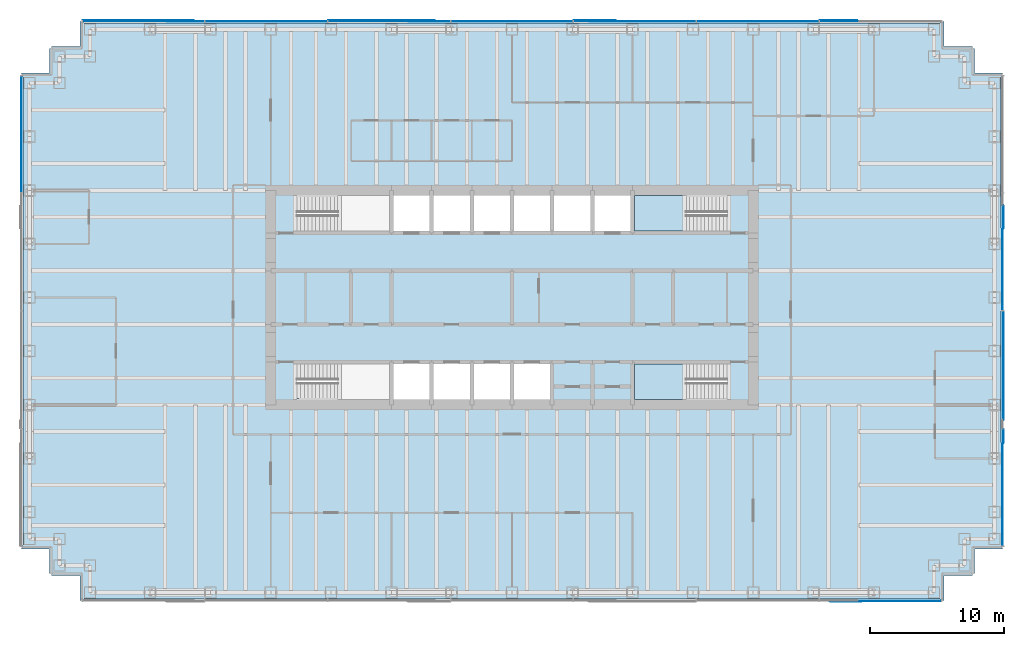
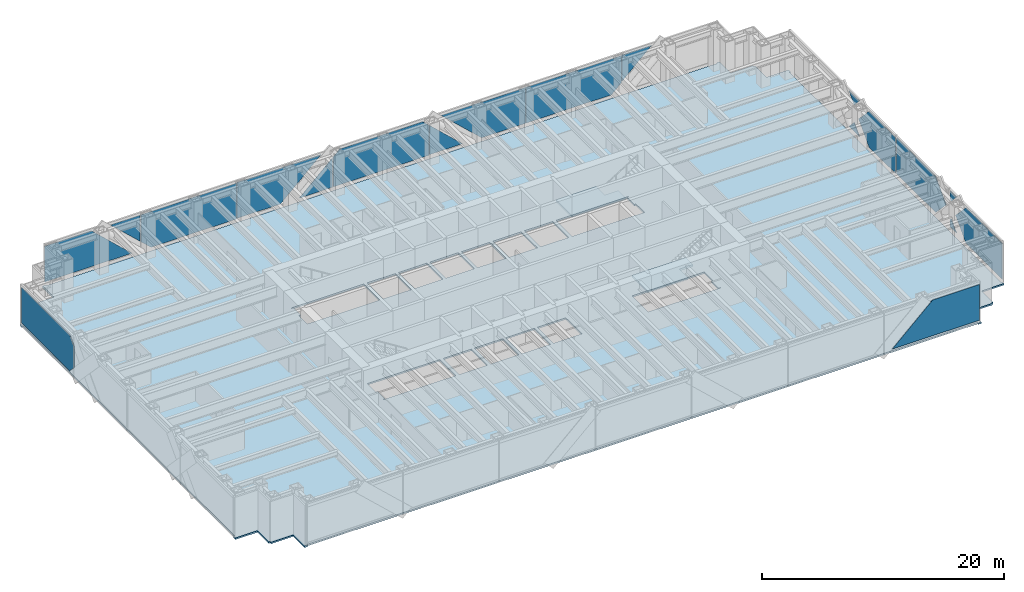
# One storey, part 11 of 19: 19 plates, 3 slabs, 6 elements without a shape of their own.
"""IFC4 building model written with IfcOpenShell, lengths in metres."""

from ifc_helpers import new_model, si_unit, direction, frame, origin, place, context, subcontext, project, spatial, polyline, outline, extrude, material, layer, layer_set, type_object, element, aggregate, save


model = new_model("IFC4")

# Units and contexts
model_context = context("Model", 3, precision=1e-05, world=origin(), true_north=direction((0.0, 1.0)))
body_context = subcontext(model_context, "Body", "Model", "MODEL_VIEW")
ifc_project = project(units=[si_unit("LENGTHUNIT", "METRE"), si_unit("AREAUNIT", "SQUARE_METRE"), si_unit("VOLUMEUNIT", "CUBIC_METRE"), si_unit("PLANEANGLEUNIT", "RADIAN"), si_unit("MASSUNIT", "GRAM", prefix="KILO")], contexts=[model_context])

# Site, building, storey
site_placement = place(None, origin())
site = spatial("IfcSite", under=ifc_project, at=site_placement, CompositionType="ELEMENT")
building_placement = place(site_placement, origin())
building = spatial("IfcBuilding", under=site, at=building_placement, Name="Rheinbord Bourse Tower", CompositionType="ELEMENT")
storey_placement = place(building_placement, frame((0.0, 0.0, 206.800048828125)))
storey = spatial("IfcBuildingStorey", under=building, at=storey_placement, Name="L46", CompositionType="ELEMENT", Elevation=206.800048828125)

# Slab
ifc_material_1 = material(Name="Concrete C30/37", Category="concrete")
ifc_layer_1 = layer(ifc_material_1, 0.159912109375)
ifc_layer_set_1 = layer_set([ifc_layer_1], Name="COMPOSITE FLOOR SLAB 160")
slab_type_1 = type_object("IfcSlabType", Name="COMPOSITE FLOOR SLAB 160", PredefinedType="FLOOR", material=ifc_layer_set_1)
slab_1_placement = place(storey_placement, frame((0.0, 0.0, -0.16015625)))
element("IfcSlab", 1, at=slab_1_placement, inside=storey, type_object=slab_type_1, Name="Floor slab L46", PredefinedType="FLOOR", context=body_context, shape_type="SweptSolid", body=[
    extrude(outline(polyline([(1.64990234375, 3.39990234375), (1.5, 3.39990234375), (1.5, 5.25), (-0.60009765625, 5.25), (-0.60009765625, 5.550048828125), (-0.5, 5.550048828125), (-0.5, 40.449951171875), (-0.60009765625, 40.449951171875), (-0.60009765625, 40.75), (1.5, 40.75), (1.5, 42.60009765625), (1.64990234375, 42.60009765625), (1.64990234375, 42.75), (3.75, 42.75), (3.75, 44.60009765625), (4.050048828125, 44.60009765625), (4.050048828125, 44.5), (67.949951171875, 44.5), (67.949951171875, 44.60009765625), (68.25, 44.60009765625), (68.25, 42.75), (70.35009765625, 42.75), (70.35009765625, 42.60009765625), (70.5, 42.60009765625), (70.5, 40.75), (72.60009765625, 40.75), (72.60009765625, 40.449951171875), (72.5, 40.449951171875), (72.5, 5.550048828125), (72.60009765625, 5.550048828125), (72.60009765625, 5.25), (70.5, 5.25), (70.5, 3.39990234375), (70.35009765625, 3.39990234375), (70.35009765625, 3.25), (68.25, 3.25), (68.25, 1.39990234375), (67.949951171875, 1.39990234375), (67.949951171875, 1.5), (4.050048828125, 1.5), (4.050048828125, 1.39990234375), (3.75, 1.39990234375), (3.75, 3.25), (1.64990234375, 3.25), (1.64990234375, 3.39990234375)]), holes=[polyline([(19.949951171875, 19.050048828125), (26.85009765625, 19.050048828125), (26.85009765625, 16.39990234375), (19.949951171875, 16.39990234375), (19.949951171875, 16.449951171875), (20.10009765625, 16.449951171875), (20.10009765625, 17.64990234375), (19.949951171875, 17.64990234375), (19.949951171875, 19.050048828125)]), polyline([(19.949951171875, 31.60009765625), (26.85009765625, 31.60009765625), (26.85009765625, 28.949951171875), (19.949951171875, 28.949951171875), (19.949951171875, 30.35009765625), (20.10009765625, 30.35009765625), (20.10009765625, 31.550048828125), (19.949951171875, 31.550048828125), (19.949951171875, 31.60009765625)]), polyline([(52.050048828125, 16.39990234375), (45.14990234375, 16.39990234375), (45.14990234375, 19.050048828125), (52.050048828125, 19.050048828125), (52.050048828125, 17.64990234375), (51.89990234375, 17.64990234375), (51.89990234375, 16.449951171875), (52.050048828125, 16.449951171875), (52.050048828125, 16.39990234375)]), polyline([(52.050048828125, 28.949951171875), (45.14990234375, 28.949951171875), (45.14990234375, 31.60009765625), (52.050048828125, 31.60009765625), (52.050048828125, 31.550048828125), (51.89990234375, 31.550048828125), (51.89990234375, 30.35009765625), (52.050048828125, 30.35009765625), (52.050048828125, 28.949951171875)]), polyline([(27.14990234375, 16.39990234375), (27.14990234375, 19.050048828125), (29.85009765625, 19.050048828125), (29.85009765625, 16.39990234375), (27.14990234375, 16.39990234375)]), polyline([(27.14990234375, 28.949951171875), (27.14990234375, 31.60009765625), (29.85009765625, 31.60009765625), (29.85009765625, 28.949951171875), (27.14990234375, 28.949951171875)]), polyline([(30.14990234375, 16.39990234375), (30.14990234375, 19.050048828125), (32.85009765625, 19.050048828125), (32.85009765625, 16.39990234375), (30.14990234375, 16.39990234375)]), polyline([(30.14990234375, 28.949951171875), (30.14990234375, 31.60009765625), (32.85009765625, 31.60009765625), (32.85009765625, 28.949951171875), (30.14990234375, 28.949951171875)]), polyline([(33.14990234375, 16.39990234375), (33.14990234375, 19.050048828125), (35.85009765625, 19.050048828125), (35.85009765625, 16.39990234375), (33.14990234375, 16.39990234375)]), polyline([(33.14990234375, 28.949951171875), (33.14990234375, 31.60009765625), (35.85009765625, 31.60009765625), (35.85009765625, 28.949951171875), (33.14990234375, 28.949951171875)]), polyline([(36.14990234375, 16.39990234375), (36.14990234375, 19.050048828125), (38.85009765625, 19.050048828125), (38.85009765625, 16.39990234375), (36.14990234375, 16.39990234375)]), polyline([(36.14990234375, 28.949951171875), (36.14990234375, 31.60009765625), (38.85009765625, 31.60009765625), (38.85009765625, 28.949951171875), (36.14990234375, 28.949951171875)]), polyline([(39.14990234375, 28.949951171875), (39.14990234375, 31.60009765625), (41.85009765625, 31.60009765625), (41.85009765625, 28.949951171875), (39.14990234375, 28.949951171875)]), polyline([(42.14990234375, 28.949951171875), (42.14990234375, 31.60009765625), (44.85009765625, 31.60009765625), (44.85009765625, 28.949951171875), (42.14990234375, 28.949951171875)])]), origin(), (0.0, 0.0, 1.0), 0.16015625),
])

# Curtain wall, plate
ifc_material_2 = material(Name="Dark glass and black aluminium", Category="aluminium")
curtain_wall_type = type_object("IfcCurtainWallType", Name="CW2 DARK GLASS CURTAIN WALL", PredefinedType="USERDEFINED", material=ifc_material_2)
curtain_wall_1_placement = place(storey_placement, origin())
curtain_wall_1 = element("IfcCurtainWall", 2, at=curtain_wall_1_placement, inside=storey, type_object=curtain_wall_type, Name="Curtain wall CW2 S L46", ObjectType="UNITISED CURTAIN WALL", PredefinedType="USERDEFINED")
ifc_material_3 = material(Name="Dark tinted triple insulating glass", Category="glass")
ifc_layer_2 = layer(ifc_material_3, 0.050048828125)
ifc_layer_set_2 = layer_set([ifc_layer_2], Name="CW2 DARK GLASS PANEL")
plate_type = type_object("IfcPlateType", Name="CW2 DARK GLASS PANEL", PredefinedType="CURTAIN_PANEL", material=ifc_layer_set_2)
plate_1_placement = place(storey_placement, frame((68.030029296875, 1.31982421875, 3.89990234375), z_axis=(0.0, 1.0, 0.0), x_axis=(0.0, 0.0, -1.0)))
plate_1 = element("IfcPlate", 3, at=plate_1_placement, type_object=plate_type, Name="CW2 glass facet 2", PredefinedType="CURTAIN_PANEL", context=body_context, shape_type="SweptSolid", body=[
    extrude(outline(polyline([(0.0, 0.0), (3.599853515625, 0.0), (3.599853515625, 8.322021484375), (0.0, 4.465087890625), (0.0, 0.0)])), origin(), (0.0, 0.0, 1.0), 0.050048828125),
])
aggregate(curtain_wall_1, [plate_1])

# Curtain wall, plates
curtain_wall_2_placement = place(storey_placement, origin())
curtain_wall_2 = element("IfcCurtainWall", 4, at=curtain_wall_2_placement, inside=storey, type_object=curtain_wall_type, Name="Curtain wall CW2 E L46", ObjectType="UNITISED CURTAIN WALL", PredefinedType="USERDEFINED")
plate_2_placement = place(storey_placement, frame((72.625, 5.469970703125, 0.300048828125), z_axis=(-1.0, 0.0, 0.0), x_axis=(0.0, 0.0, 1.0)))
plate_2 = element("IfcPlate", 5, at=plate_2_placement, type_object=plate_type, Name="CW2 glass facet 1", PredefinedType="CURTAIN_PANEL", context=body_context, shape_type="SweptSolid", body=[
    extrude(outline(polyline([(0.0, 0.0), (3.599853515625, 0.0), (3.599853515625, 5.97998046875), (1.7998046875, 7.695068359375), (0.0, 5.97998046875), (0.0, 0.0)])), origin(), (0.0, 0.0, 1.0), 0.050048828125),
])
plate_3_placement = place(storey_placement, frame((72.68017578125, 14.1650390625, 0.300048828125), z_axis=(-1.0, 0.0, 0.0), x_axis=(0.0, -1.0, 0.0)))
plate_3 = element("IfcPlate", 6, at=plate_3_placement, type_object=plate_type, Name="CW2 glass facet 2", PredefinedType="CURTAIN_PANEL", context=body_context, shape_type="SweptSolid", body=[
    extrude(outline(polyline([(0.0, 0.0), (1.0439453125, 0.0), (0.1650390625, 0.9228515625), (0.0, 0.75), (0.0, 0.0)])), origin(), (0.0, 0.0, 1.0), 0.050048828125),
])
plate_4_placement = place(storey_placement, frame((72.68017578125, 14.1650390625, 3.89990234375), z_axis=(-1.0, 0.0, 0.0), x_axis=(0.0, 0.0, -1.0)))
plate_4 = element("IfcPlate", 7, at=plate_4_placement, type_object=plate_type, Name="CW2 glass facet 3", PredefinedType="CURTAIN_PANEL", context=body_context, shape_type="SweptSolid", body=[
    extrude(outline(polyline([(0.0, 0.0), (0.7490234375, 0.0), (0.9228515625, 0.1650390625), (0.0, 1.0439453125), (0.0, 0.0)])), origin(), (0.0, 0.0, 1.0), 0.050048828125),
])
plate_5_placement = place(storey_placement, frame((72.68017578125, 22.965087890625, 3.89990234375), z_axis=(-1.0, 0.0, 0.0), x_axis=(0.0, 0.0, -1.0)))
plate_5 = element("IfcPlate", 8, at=plate_5_placement, type_object=plate_type, Name="CW2 glass facet 3", PredefinedType="CURTAIN_PANEL", context=body_context, shape_type="SweptSolid", body=[
    extrude(outline(polyline([(0.0, 0.0), (3.599853515625, 0.0), (3.599853515625, 6.4150390625), (1.800048828125, 8.130126953125), (0.0, 6.4150390625), (0.0, 0.0)])), origin(), (0.0, 0.0, 1.0), 0.050048828125),
])
plate_6_placement = place(storey_placement, frame((72.625, 23.034912109375, 0.300048828125), z_axis=(-1.0, 0.0, 0.0), x_axis=(0.0, 0.0, 1.0)))
plate_6 = element("IfcPlate", 9, at=plate_6_placement, type_object=plate_type, Name="CW2 glass facet 1", PredefinedType="CURTAIN_PANEL", context=body_context, shape_type="SweptSolid", body=[
    extrude(outline(polyline([(0.0, 0.0), (3.599853515625, 0.0), (3.599853515625, 4.4150390625), (1.7998046875, 6.130126953125), (0.0, 4.4150390625), (0.0, 0.0)])), origin(), (0.0, 0.0, 1.0), 0.050048828125),
])
plate_7_placement = place(storey_placement, frame((72.68017578125, 29.12109375, 0.300048828125), z_axis=(-1.0, 0.0, 0.0), x_axis=(0.0, 0.689655172414, 0.724137931034)))
plate_7 = element("IfcPlate", 10, at=plate_7_placement, type_object=plate_type, Name="CW2 glass facet 2", PredefinedType="CURTAIN_PANEL", context=body_context, shape_type="SweptSolid", body=[
    extrude(outline(polyline([(0.0, 0.0), (1.2744140625, 0.0), (1.21240234375, 1.27294921875), (0.0, 0.0)])), origin(), (0.0, 0.0, 1.0), 0.050048828125),
])
plate_8_placement = place(storey_placement, frame((72.68017578125, 30.87890625, 3.89990234375), z_axis=(-1.0, 0.0, 0.0), x_axis=(0.0, -0.689655172414, -0.724137931034)))
plate_8 = element("IfcPlate", 11, at=plate_8_placement, type_object=plate_type, Name="CW2 glass facet 3", PredefinedType="CURTAIN_PANEL", context=body_context, shape_type="SweptSolid", body=[
    extrude(outline(polyline([(0.0, 0.0), (1.2744140625, 0.0), (1.21240234375, 1.27294921875), (0.0, 0.0)])), origin(), (0.0, 0.0, 1.0), 0.050048828125),
])
aggregate(curtain_wall_2, [plate_2, plate_3, plate_4, plate_5, plate_6, plate_7, plate_8])

curtain_wall_3_placement = place(storey_placement, origin())
curtain_wall_3 = element("IfcCurtainWall", 12, at=curtain_wall_3_placement, inside=storey, type_object=curtain_wall_type, Name="Curtain wall CW2 N L46", ObjectType="UNITISED CURTAIN WALL", PredefinedType="USERDEFINED")
plate_9_placement = place(storey_placement, frame((58.964111328125, 44.68017578125, 3.89990234375), z_axis=(0.0, -1.0, 0.0), x_axis=(0.0, 0.0, -1.0)))
plate_9 = element("IfcPlate", 13, at=plate_9_placement, type_object=plate_type, Name="CW2 glass facet 2", PredefinedType="CURTAIN_PANEL", context=body_context, shape_type="SweptSolid", body=[
    extrude(outline(polyline([(0.0, 0.0), (2.639892578125, 0.0), (0.0, 2.827880859375), (0.0, 0.0)])), origin(), (0.0, 0.0, 1.0), 0.050048828125),
])
plate_10_placement = place(storey_placement, frame((58.89404296875, 44.625, 3.89990234375), z_axis=(0.0, -1.0, 0.0), x_axis=(-1.0, 0.0, 0.0)))
plate_10 = element("IfcPlate", 14, at=plate_10_placement, type_object=plate_type, Name="CW2 glass facet 1", PredefinedType="CURTAIN_PANEL", context=body_context, shape_type="SweptSolid", body=[
    extrude(outline(polyline([(0.0, 0.0), (9.10205078125, 0.0), (9.10205078125, 3.599853515625), (0.958984375, 3.599853515625), (0.0, 2.704833984375), (0.0, 0.0)])), origin(), (0.0, 0.0, 1.0), 0.050048828125),
])
plate_11_placement = place(storey_placement, frame((49.721923828125, 44.625, 0.300048828125), z_axis=(0.0, -1.0, 0.0), x_axis=(0.0, 0.0, 1.0)))
plate_11 = element("IfcPlate", 15, at=plate_11_placement, type_object=plate_type, Name="CW2 glass facet 1", PredefinedType="CURTAIN_PANEL", context=body_context, shape_type="SweptSolid", body=[
    extrude(outline(polyline([(0.0, 0.0), (3.599853515625, 0.0), (3.599853515625, 8.013916015625), (0.0, 4.156982421875), (0.0, 0.0)])), origin(), (0.0, 0.0, 1.0), 0.050048828125),
])
plate_12_placement = place(storey_placement, frame((40.62109375, 44.68017578125, 0.300048828125), z_axis=(0.0, -1.0, 0.0), x_axis=(1.0, 0.0, 0.0)))
plate_12 = element("IfcPlate", 16, at=plate_12_placement, type_object=plate_type, Name="CW2 glass facet 2", PredefinedType="CURTAIN_PANEL", context=body_context, shape_type="SweptSolid", body=[
    extrude(outline(polyline([(0.0, 0.0), (3.1708984375, 0.0), (0.0, 2.9599609375), (0.0, 0.0)])), origin(), (0.0, 0.0, 1.0), 0.050048828125),
])
plate_13_placement = place(storey_placement, frame((31.448974609375, 44.625, 0.300048828125), z_axis=(0.0, -1.0, 0.0), x_axis=(1.0, 0.0, 0.0)))
plate_13 = element("IfcPlate", 17, at=plate_13_placement, type_object=plate_type, Name="CW2 glass facet 1", PredefinedType="CURTAIN_PANEL", context=body_context, shape_type="SweptSolid", body=[
    extrude(outline(polyline([(0.0, 0.0), (9.10205078125, 0.0), (9.10205078125, 3.02490234375), (8.486083984375, 3.599853515625), (0.615966796875, 3.599853515625), (0.0, 3.02490234375), (0.0, 0.0)])), origin(), (0.0, 0.0, 1.0), 0.050048828125),
])
plate_14_placement = place(storey_placement, frame((31.37890625, 44.625, 0.300048828125), z_axis=(0.0, -1.0, 0.0), x_axis=(0.0, 0.0, 1.0)))
plate_14 = element("IfcPlate", 18, at=plate_14_placement, type_object=plate_type, Name="CW2 glass facet 1", PredefinedType="CURTAIN_PANEL", context=body_context, shape_type="SweptSolid", body=[
    extrude(outline(polyline([(0.0, 0.0), (2.9599609375, 0.0), (0.0, 3.1708984375), (0.0, 0.0)])), origin(), (0.0, 0.0, 1.0), 0.050048828125),
])
plate_15_placement = place(storey_placement, frame((22.278076171875, 44.68017578125, 3.89990234375), z_axis=(0.0, -1.0, 0.0), x_axis=(0.0, 0.0, -1.0)))
plate_15 = element("IfcPlate", 19, at=plate_15_placement, type_object=plate_type, Name="CW2 glass facet 2", PredefinedType="CURTAIN_PANEL", context=body_context, shape_type="SweptSolid", body=[
    extrude(outline(polyline([(0.0, 0.0), (3.599853515625, 0.0), (3.599853515625, 4.156982421875), (0.0, 8.013916015625), (0.0, 0.0)])), origin(), (0.0, 0.0, 1.0), 0.050048828125),
])
plate_16_placement = place(storey_placement, frame((22.2080078125, 44.625, 0.300048828125), z_axis=(0.0, -1.0, 0.0), x_axis=(0.0, 0.0, 1.0)))
plate_16 = element("IfcPlate", 20, at=plate_16_placement, type_object=plate_type, Name="CW2 glass facet 1", PredefinedType="CURTAIN_PANEL", context=body_context, shape_type="SweptSolid", body=[
    extrude(outline(polyline([(0.0, 0.0), (3.599853515625, 0.0), (3.599853515625, 9.10205078125), (0.89501953125, 9.10205078125), (0.0, 8.14306640625), (0.0, 0.0)])), origin(), (0.0, 0.0, 1.0), 0.050048828125),
])
plate_17_placement = place(storey_placement, frame((13.035888671875, 44.625, 3.89990234375), z_axis=(0.0, -1.0, 0.0), x_axis=(-1.0, 0.0, 0.0)))
plate_17 = element("IfcPlate", 21, at=plate_17_placement, type_object=plate_type, Name="CW2 glass facet 1", PredefinedType="CURTAIN_PANEL", context=body_context, shape_type="SweptSolid", body=[
    extrude(outline(polyline([(0.0, 0.0), (2.827880859375, 0.0), (0.0, 2.639892578125), (0.0, 0.0)])), origin(), (0.0, 0.0, 1.0), 0.050048828125),
])
plate_18_placement = place(storey_placement, frame((3.969970703125, 44.68017578125, 3.89990234375), z_axis=(0.0, -1.0, 0.0), x_axis=(0.0, 0.0, -1.0)))
plate_18 = element("IfcPlate", 22, at=plate_18_placement, type_object=plate_type, Name="CW2 glass facet 2", PredefinedType="CURTAIN_PANEL", context=body_context, shape_type="SweptSolid", body=[
    extrude(outline(polyline([(0.0, 0.0), (3.599853515625, 0.0), (3.599853515625, 8.322021484375), (0.0, 4.465087890625), (0.0, 0.0)])), origin(), (0.0, 0.0, 1.0), 0.050048828125),
])
aggregate(curtain_wall_3, [plate_9, plate_10, plate_11, plate_12, plate_13, plate_14, plate_15, plate_16, plate_17, plate_18])

# Curtain wall, plate
curtain_wall_4_placement = place(storey_placement, origin())
curtain_wall_4 = element("IfcCurtainWall", 23, at=curtain_wall_4_placement, inside=storey, type_object=curtain_wall_type, Name="Curtain wall CW2 W L46", ObjectType="UNITISED CURTAIN WALL", PredefinedType="USERDEFINED")
plate_19_placement = place(storey_placement, frame((-0.625, 40.530029296875, 0.300048828125), z_axis=(1.0, 0.0, 0.0), x_axis=(0.0, 0.0, 1.0)))
plate_19 = element("IfcPlate", 24, at=plate_19_placement, type_object=plate_type, Name="CW2 glass facet 1", PredefinedType="CURTAIN_PANEL", context=body_context, shape_type="SweptSolid", body=[
    extrude(outline(polyline([(0.0, 0.0), (3.599853515625, 0.0), (3.599853515625, 7.97998046875), (2.849853515625, 8.695068359375), (0.7509765625, 8.695068359375), (0.0, 7.97998046875), (0.0, 0.0)])), origin(), (0.0, 0.0, 1.0), 0.050048828125),
])
aggregate(curtain_wall_4, [plate_19])

# Stair, slab
ifc_material_4 = material(Name="Concrete C30/37", Category="concrete")
stair_type = type_object("IfcStairType", Name="CORE STAIR HALF TURN 4200", PredefinedType="HALF_TURN_STAIR", material=ifc_material_4)
stair_1_placement = place(storey_placement, origin())
stair_1 = element("IfcStair", 25, at=stair_1_placement, inside=storey, type_object=stair_type, Name="Stair ST3 L46, type CS6", PredefinedType="HALF_TURN_STAIR")
ifc_material_5 = material(Name="Concrete C30/37", Category="concrete")
ifc_layer_3 = layer(ifc_material_5, 0.199951171875)
ifc_layer_set_3 = layer_set([ifc_layer_3], Name="STAIR LANDING 200")
slab_type_2 = type_object("IfcSlabType", Name="STAIR LANDING 200", PredefinedType="LANDING", material=ifc_layer_set_3)
slab_2_placement = place(storey_placement, frame((0.0, 0.0, 1.89990234375)))
slab_2 = element("IfcSlab", 26, at=slab_2_placement, type_object=slab_type_2, Name="Half landing ST3 L46", PredefinedType="LANDING", context=body_context, shape_type="SweptSolid", body=[
    extrude(outline(polyline([(45.14990234375, 16.39990234375), (48.969970703125, 16.39990234375), (48.969970703125, 17.85009765625), (50.251953125, 17.85009765625), (50.251953125, 19.050048828125), (45.14990234375, 19.050048828125), (45.14990234375, 16.39990234375)])), origin(), (0.0, 0.0, 1.0), 0.199951171875),
])
aggregate(stair_1, [slab_2])

stair_2_placement = place(storey_placement, origin())
stair_2 = element("IfcStair", 27, at=stair_2_placement, inside=storey, type_object=stair_type, Name="Stair ST4 L46, type CS6", PredefinedType="HALF_TURN_STAIR")
slab_3_placement = place(storey_placement, frame((0.0, 0.0, 1.89990234375)))
slab_3 = element("IfcSlab", 28, at=slab_3_placement, type_object=slab_type_2, Name="Half landing ST4 L46", PredefinedType="LANDING", context=body_context, shape_type="SweptSolid", body=[
    extrude(outline(polyline([(45.14990234375, 28.949951171875), (50.251953125, 28.949951171875), (50.251953125, 30.14990234375), (48.969970703125, 30.14990234375), (48.969970703125, 31.60009765625), (45.14990234375, 31.60009765625), (45.14990234375, 28.949951171875)])), origin(), (0.0, 0.0, 1.0), 0.199951171875),
])
aggregate(stair_2, [slab_3])

save(model, "model.ifc")
